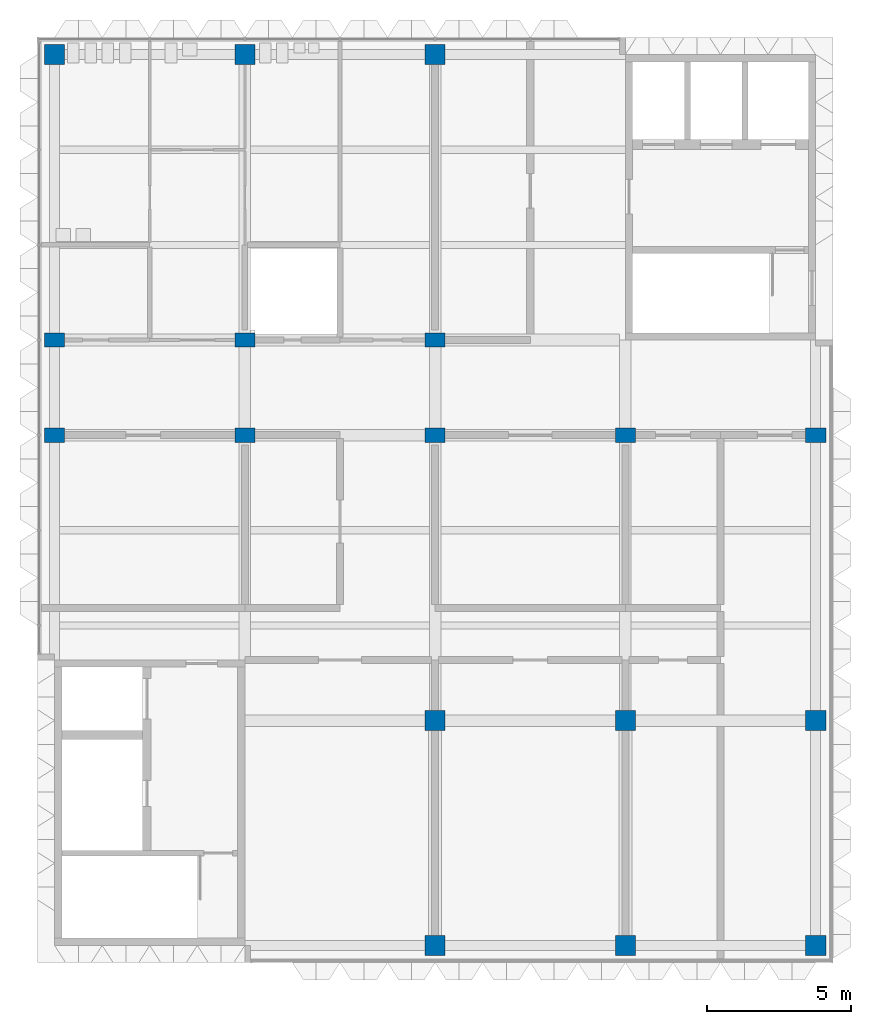
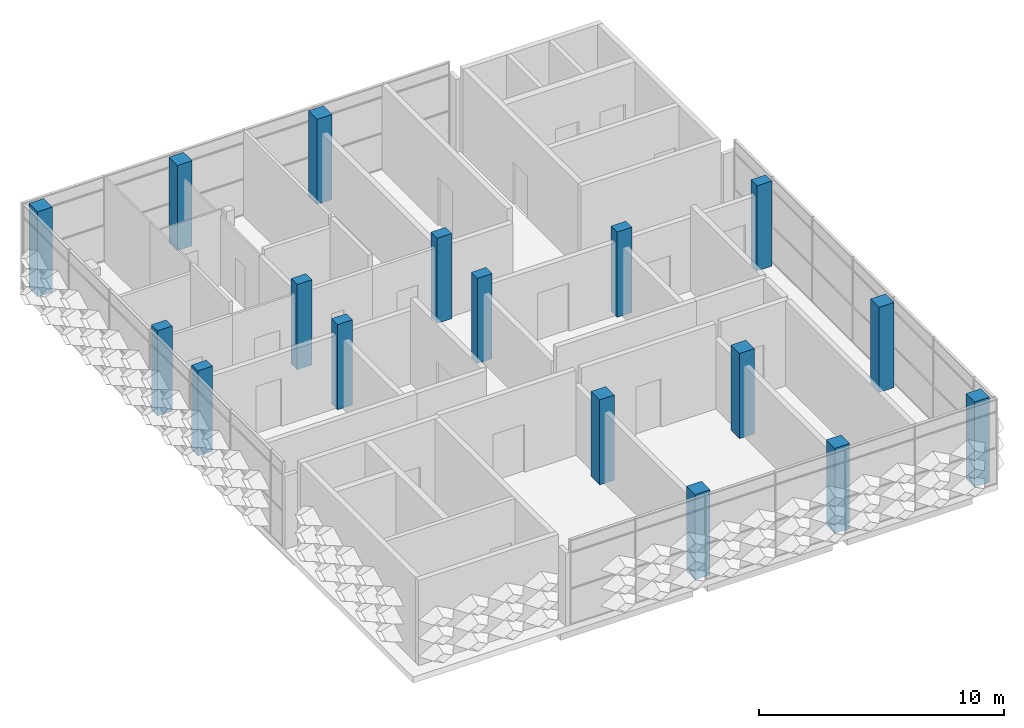
# One storey, part 1 of 21: 17 columns.
"""IFC4 building model written with IfcOpenShell, lengths in metres."""

import ifcopenshell
import ifcopenshell.guid

model = None  # the IFC model being written
_history = None  # IfcOwnerHistory: only IFC2X3 demands one
_inside = {}  # id of a spatial element -> (the spatial element, [elements in it])
_under = {}  # id of a project, library or spatial element -> (it, [spatial elements below it])
_declared = {}  # id of a project -> (the project, [libraries it declares])
_typed = {}  # id of a type object -> (the type object, [elements of that type])
_made_of = {}  # id of a material, layer set ... -> (it, [elements and type objects made of it])


def new_model(schema):
    """Start an empty IFC model of exactly this schema.

    Asked for "IFC4X3", IfcOpenShell would pick the latest addendum, in which some entities
    have other attributes; the version numbers below select the first issue.
    IFC2X3 requires an IfcOwnerHistory on every rooted entity: one is made here for all.
    """
    global model, _history
    if schema == "IFC4X3":
        model = ifcopenshell.file(schema_version=(4, 3, 0, 0))
    else:
        model = ifcopenshell.file(schema=schema)
    _inside.clear()
    _under.clear()
    _declared.clear()
    _typed.clear()
    _made_of.clear()
    _history = None
    if model.schema == "IFC2X3":
        org = make("IfcOrganization", Name="unknown")
        user = make(
            "IfcPersonAndOrganization",
            ThePerson=make("IfcPerson", FamilyName="unknown"),
            TheOrganization=org,
        )
        app = make(
            "IfcApplication",
            ApplicationDeveloper=org,
            Version="unknown",
            ApplicationFullName="unknown",
            ApplicationIdentifier="unknown",
        )
        _history = make(
            "IfcOwnerHistory",
            OwningUser=user,
            OwningApplication=app,
            ChangeAction="ADDED",
            CreationDate=0,
        )
    return model


def make(cls, **values):
    """One entity of the class cls with the attributes given. An attribute that is None is left unset."""
    return model.create_entity(
        cls, **{name: value for name, value in values.items() if value is not None}
    )


def rooted(cls, **values):
    """An entity with a GlobalId (a new one), such as an element, a storey or a relation."""
    return make(cls, GlobalId=ifcopenshell.guid.new(), OwnerHistory=_history, **values)


def si_unit(unit_type, name, prefix=None):
    """IfcSIUnit, for example si_unit("LENGTHUNIT", "METRE", prefix="MILLI")."""
    return make("IfcSIUnit", UnitType=unit_type, Prefix=prefix, Name=name)


def assignment(units):
    """IfcUnitAssignment: the units of a project."""
    return None if units is None else make("IfcUnitAssignment", Units=units)


def point(xyz):
    """IfcCartesianPoint."""
    return None if xyz is None else make("IfcCartesianPoint", Coordinates=xyz)


def direction(xyz):
    """IfcDirection."""
    return None if xyz is None else make("IfcDirection", DirectionRatios=xyz)


def frame(location, z_axis=None, x_axis=None):
    """IfcAxis2Placement3D, a coordinate frame: its origin and axes. An axis left out is left unset."""
    return make(
        "IfcAxis2Placement3D",
        Location=point(location),
        Axis=direction(z_axis),
        RefDirection=direction(x_axis),
    )


def frame_2d(location, x_axis=None):
    """IfcAxis2Placement2D, a coordinate frame in the plane: its origin and x axis."""
    return make(
        "IfcAxis2Placement2D", Location=point(location), RefDirection=direction(x_axis)
    )


def origin():
    """The frame at (0, 0, 0) with its axes left unset."""
    return frame((0.0, 0.0, 0.0))


def origin_2d():
    """The frame at (0, 0) in the plane with its x axis left unset."""
    return frame_2d((0.0, 0.0))


def place(relative_to, where):
    """IfcLocalPlacement: puts the frame where relative to a parent placement (None: the world)."""
    return make(
        "IfcLocalPlacement", PlacementRelTo=relative_to, RelativePlacement=where
    )


def context(
    kind, dimensions, precision=None, world=None, true_north=None, identifier=None
):
    """IfcGeometricRepresentationContext, for example the 3D "Model" context."""
    return make(
        "IfcGeometricRepresentationContext",
        ContextIdentifier=identifier,
        ContextType=kind,
        CoordinateSpaceDimension=dimensions,
        Precision=precision,
        WorldCoordinateSystem=world,
        TrueNorth=true_north,
    )


def subcontext(parent, identifier, kind, view, scale=None):
    """IfcGeometricRepresentationSubContext, for example "Body" below "Model"."""
    return make(
        "IfcGeometricRepresentationSubContext",
        ContextIdentifier=identifier,
        ContextType=kind,
        ParentContext=parent,
        TargetScale=scale,
        TargetView=view,
    )


def project(units=None, contexts=None):
    """IfcProject with its units and contexts."""
    return rooted(
        "IfcProject",
        Name="project",
        RepresentationContexts=contexts,
        UnitsInContext=assignment(units),
    )


def spatial(cls, under=None, at=None, **own):
    """A site, building, storey or space (cls), placed at a placement, below another one or the project."""
    s = rooted(cls, ObjectPlacement=at, **own)
    if under is not None:
        _under.setdefault(under.id(), (under, []))[1].append(s)
    return s


def profile(cls, at=None, kind="AREA", **sizes):
    """A parametric profile (cls). Its sizes go by their IFC names, for example OverallWidth=200.0."""
    return make(cls, ProfileType=kind, Position=at, **sizes)


def rectangle(**sizes):
    """IfcRectangleProfileDef."""
    return profile("IfcRectangleProfileDef", **sizes)


def extrude(swept, where, along, depth):
    """IfcExtrudedAreaSolid: the profile swept, set in the frame where, extruded along a direction by depth."""
    return make(
        "IfcExtrudedAreaSolid",
        SweptArea=swept,
        Position=where,
        ExtrudedDirection=direction(along),
        Depth=depth,
    )


def shape(context_of_items, identifier, shape_type, items):
    """IfcShapeRepresentation: the items that make up one representation, for example the "Body"."""
    return make(
        "IfcShapeRepresentation",
        ContextOfItems=context_of_items,
        RepresentationIdentifier=identifier,
        RepresentationType=shape_type,
        Items=items,
    )


def material(Name=None, Category=None):
    """IfcMaterial."""
    return make("IfcMaterial", Name=Name, Category=Category)


def material_profile(
    of_material, cross_section, Name=None, Category=None, Priority=None
):
    """IfcMaterialProfile: a cross section and its material."""
    return make(
        "IfcMaterialProfile",
        Name=Name,
        Material=of_material,
        Profile=cross_section,
        Priority=Priority,
        Category=Category,
    )


def profile_set(profiles, Name=None, composite=None):
    """IfcMaterialProfileSet."""
    return make(
        "IfcMaterialProfileSet",
        Name=Name,
        MaterialProfiles=profiles,
        CompositeProfile=composite,
    )


def made_of(thing, what):
    """Note that an element or type object is made of a material, layer set ...; save() writes the relation."""
    if what is not None:
        _made_of.setdefault(what.id(), (what, []))[1].append(thing)
    return thing


def type_object(cls, material=None, **own):
    """A type object (cls), such as IfcWallType, which elements share."""
    return made_of(rooted(cls, **own), material)


def element(
    cls,
    number,
    at=None,
    inside=None,
    cuts=None,
    type_object=None,
    material=None,
    context=None,
    identifier="Body",
    shape_type=None,
    held_by="IfcProductDefinitionShape",
    body=None,
    shapes=None,
    **own,
):
    """One element of the class cls, such as IfcWall. Its Tag is "e" and its number.

    at: its placement. inside: the storey or other place that contains it. cuts: it is an
    opening in that element (IfcRelVoidsElement). A single representation is given by context,
    identifier, shape_type and body (its items); several are given by shapes. held_by: the class
    of the entity that holds the representations. save() writes the other relations.
    """
    e = rooted(cls, Tag="e%d" % number, ObjectPlacement=at, **own)
    if body is not None:
        shapes = [shape(context, identifier, shape_type, body)]
    if shapes is not None:
        e.Representation = make(held_by, Representations=shapes)
    if inside is not None:
        _inside.setdefault(inside.id(), (inside, []))[1].append(e)
    if cuts is not None:
        rooted(
            "IfcRelVoidsElement", RelatingBuildingElement=cuts, RelatedOpeningElement=e
        )
    if type_object is not None:
        _typed.setdefault(type_object.id(), (type_object, []))[1].append(e)
    return made_of(e, material)


def aggregate(whole, parts):
    """IfcRelAggregates: a whole, such as a stair, and the parts it consists of."""
    return rooted("IfcRelAggregates", RelatingObject=whole, RelatedObjects=parts)


def save(model, path):
    """Write the relations noted so far, then the file.

    IfcRelAggregates (storeys below a building ...), IfcRelContainedInSpatialStructure (elements
    in a storey), IfcRelDefinesByType, IfcRelAssociatesMaterial and IfcRelDeclares: one each for
    every whole, place, type object, material and project.
    """
    for whole, parts in _under.values():
        aggregate(whole, parts)
    for where, things in _inside.values():
        rooted(
            "IfcRelContainedInSpatialStructure",
            RelatedElements=things,
            RelatingStructure=where,
        )
    for kind, things in _typed.values():
        rooted("IfcRelDefinesByType", RelatedObjects=things, RelatingType=kind)
    for what, things in _made_of.values():
        rooted("IfcRelAssociatesMaterial", RelatedObjects=things, RelatingMaterial=what)
    for by, libraries in _declared.values():
        rooted("IfcRelDeclares", RelatingContext=by, RelatedDefinitions=libraries)
    model.write(path)


model = new_model("IFC4")

# Units and contexts
model_context = context("Model", 3, precision=1e-05, world=origin(), true_north=direction((0.0, 1.0)))
body_context = subcontext(model_context, "Body", "Model", "MODEL_VIEW")
ifc_project = project(units=[si_unit("LENGTHUNIT", "METRE"), si_unit("AREAUNIT", "SQUARE_METRE"), si_unit("VOLUMEUNIT", "CUBIC_METRE"), si_unit("PLANEANGLEUNIT", "RADIAN"), si_unit("MASSUNIT", "GRAM", prefix="KILO")], contexts=[model_context])

# Site, building, storey
site_placement = place(None, origin())
site = spatial("IfcSite", under=ifc_project, at=site_placement, CompositionType="ELEMENT")
building_placement = place(site_placement, origin())
building = spatial("IfcBuilding", under=site, at=building_placement, Name="Lantern Court Research Institute", CompositionType="ELEMENT")
storey_placement = place(building_placement, frame((0.0, 0.0, 41.39990234375)))
storey = spatial("IfcBuildingStorey", under=building, at=storey_placement, Name="L09", CompositionType="ELEMENT", Elevation=41.39990234375)

# Columns
ifc_material_1 = material(Name="Concrete C40/50", Category="concrete")
ifc_material_profile_1 = material_profile(ifc_material_1, rectangle(XDim=0.699951171875, YDim=0.5, at=origin_2d()), Name="RC column 700 x 500")
ifc_profile_set_1 = profile_set([ifc_material_profile_1], Name="Concrete C40/50")
column_type_1 = type_object("IfcColumnType", Name="RC column 700 x 500", PredefinedType="COLUMN", material=ifc_profile_set_1)
for number, where, z_axis, x_axis, name in (
    (1, (52.800048828125, 9.89990234375, 0.0), (0.0, 0.0, 1.0), (1.0, 0.0, 0.0), "Column L09 grid 9/B"),
    (2, (52.800048828125, 13.199951171875, 0.0), (0.0, 0.0, 1.0), (1.0, 0.0, 0.0), "Column L09 grid 9/C"),
    (3, (59.39990234375, 9.89990234375, 0.0), (0.0, 0.0, 1.0), (1.0, 0.0, 0.0), "Column L09 grid 10/B"),
    (4, (59.39990234375, 13.199951171875, 0.0), (0.0, 0.0, 1.0), (1.0, 0.0, 0.0), "Column L09 grid 10/C"),
    (5, (66.0, 9.89990234375, 0.0), (0.0, 0.0, 1.0), (1.0, 0.0, 0.0), "Column L09 grid 11/B"),
    (6, (66.0, 13.199951171875, 0.0), (0.0, 0.0, 1.0), (1.0, 0.0, 0.0), "Column L09 grid 11/C"),
    (7, (72.60009765625, 9.89990234375, 0.0), (0.0, 0.0, 1.0), (1.0, 0.0, 0.0), "Column L09 grid 12/B"),
    (8, (79.199951171875, 9.89990234375, 0.0), (0.0, 0.0, 1.0), (1.0, 0.0, 0.0), "Column L09 grid 13/B"),
):
    element("IfcColumn", number, at=place(storey_placement, frame(where, z_axis=z_axis, x_axis=x_axis)), inside=storey, type_object=column_type_1, Name=name, PredefinedType="COLUMN", context=body_context, shape_type="SweptSolid", body=[
        extrude(rectangle(XDim=0.699951171875, YDim=0.5, at=origin_2d()), origin(), (0.0, 0.0, 1.0), 4.25),
    ])
ifc_material_2 = material(Name="Concrete C40/50", Category="concrete")
ifc_material_profile_2 = material_profile(ifc_material_2, rectangle(XDim=0.699951171875, YDim=0.699951171875, at=origin_2d()), Name="RC column 700 x 700")
ifc_profile_set_2 = profile_set([ifc_material_profile_2], Name="Concrete C40/50")
column_type_2 = type_object("IfcColumnType", Name="RC column 700 x 700", PredefinedType="COLUMN", material=ifc_profile_set_2)
for number, where, z_axis, x_axis, name in (
    (9, (52.800048828125, 23.10009765625, 0.0), (0.0, 0.0, 1.0), (1.0, 0.0, 0.0), "Column L09 grid 9/D"),
    (10, (59.39990234375, 23.10009765625, 0.0), (0.0, 0.0, 1.0), (1.0, 0.0, 0.0), "Column L09 grid 10/D"),
    (11, (66.0, -7.800048828125, 0.0), (0.0, 0.0, 1.0), (1.0, 0.0, 0.0), "Column L09 grid 11/Z"),
    (12, (66.0, 0.0, 0.0), (0.0, 0.0, 1.0), (1.0, 0.0, 0.0), "Column L09 grid 11/A"),
    (13, (66.0, 23.10009765625, 0.0), (0.0, 0.0, 1.0), (1.0, 0.0, 0.0), "Column L09 grid 11/D"),
    (14, (72.60009765625, -7.800048828125, 0.0), (0.0, 0.0, 1.0), (1.0, 0.0, 0.0), "Column L09 grid 12/Z"),
    (15, (72.60009765625, 0.0, 0.0), (0.0, 0.0, 1.0), (1.0, 0.0, 0.0), "Column L09 grid 12/A"),
    (16, (79.199951171875, -7.800048828125, 0.0), (0.0, 0.0, 1.0), (1.0, 0.0, 0.0), "Column L09 grid 13/Z"),
    (17, (79.199951171875, 0.0, 0.0), (0.0, 0.0, 1.0), (1.0, 0.0, 0.0), "Column L09 grid 13/A"),
):
    element("IfcColumn", number, at=place(storey_placement, frame(where, z_axis=z_axis, x_axis=x_axis)), inside=storey, type_object=column_type_2, Name=name, PredefinedType="COLUMN", context=body_context, shape_type="SweptSolid", body=[
        extrude(rectangle(XDim=0.699951171875, YDim=0.699951171875, at=origin_2d()), origin(), (0.0, 0.0, 1.0), 4.25),
    ])

save(model, "model.ifc")
